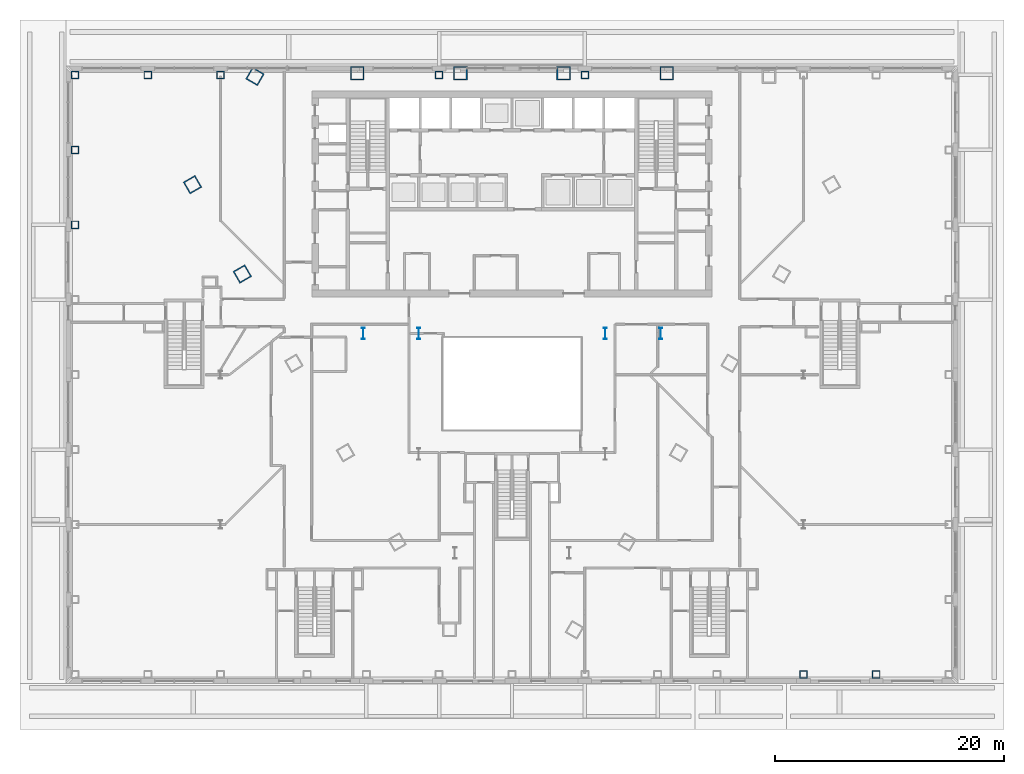
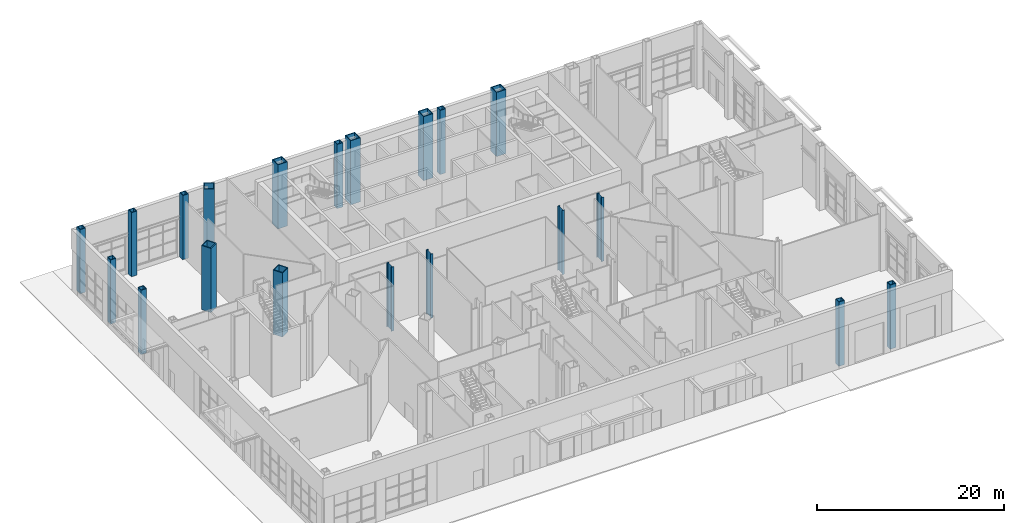
# One storey, part 3 of 34: 20 columns.
"""IFC4 building model written with IfcOpenShell, lengths in metres."""

from ifc_helpers import new_model, si_unit, direction, frame, origin, origin_2d, place, context, subcontext, project, spatial, hollow_rectangle, i_section, extrude, material, material_profile, profile_set, type_object, element, save


model = new_model("IFC4")

# Units and contexts
model_context = context("Model", 3, precision=1e-05, world=origin(), true_north=direction((0.0, 1.0)))
body_context = subcontext(model_context, "Body", "Model", "MODEL_VIEW")
ifc_project = project(units=[si_unit("LENGTHUNIT", "METRE"), si_unit("AREAUNIT", "SQUARE_METRE"), si_unit("VOLUMEUNIT", "CUBIC_METRE"), si_unit("PLANEANGLEUNIT", "RADIAN"), si_unit("MASSUNIT", "GRAM", prefix="KILO")], contexts=[model_context])

# Site, building, storey
site_placement = place(None, origin())
site = spatial("IfcSite", under=ifc_project, at=site_placement, CompositionType="ELEMENT")
building_placement = place(site_placement, origin())
building = spatial("IfcBuilding", under=site, at=building_placement, Name="Njiva Tower", CompositionType="ELEMENT")
storey_placement = place(building_placement, origin())
storey = spatial("IfcBuildingStorey", under=building, at=storey_placement, Name="L00", CompositionType="ELEMENT", Elevation=0.0)

# Columns
ifc_material = material(Name="Steel S355 J2", Category="steel")
ifc_material_profile_1 = material_profile(ifc_material, hollow_rectangle(XDim=1.2, YDim=1.2, WallThickness=0.1, at=origin_2d()), Name="BOX 1200x1200x100")
ifc_profile_set_1 = profile_set([ifc_material_profile_1], Name="Steel S355 J2")
column_type_1 = type_object("IfcColumnType", Name="C1 Mega-column BOX 1200x1200x100", PredefinedType="COLUMN", material=ifc_profile_set_1)
for number, where, z_axis, x_axis, name in (
    (1, (13.523, 19.54, 0.0), (0.0, 0.0, 1.0), (-1.0, 0.0, 0.0), "Mega-column L00-C02"),
    (2, (4.508, 19.54, 0.0), (0.0, 0.0, 1.0), (-1.0, 0.0, 0.0), "Mega-column L00-C03"),
    (3, (-4.508, 19.54, 0.0), (0.0, 0.0, 1.0), (-1.0, 0.0, 0.0), "Mega-column L00-C04"),
    (4, (-13.523, 19.54, 0.0), (0.0, 0.0, 1.0), (-1.0, 0.0, 0.0), "Mega-column L00-C05"),
    (5, (-22.461, 19.267, 0.0), (0.0, 0.0, 1.0), (-0.5, -0.866025403784, 0.0), "Mega-column L00-C06"),
    (6, (-27.923, 9.808, 0.0), (0.0, 0.0, 1.0), (0.5, -0.866025403784, 0.0), "Mega-column L00-C07"),
    (7, (-23.569, 2.0, 0.0), (0.0, 0.0, 1.0), (0.5, -0.866025403784, 0.0), "Mega-column L00-C08"),
):
    element("IfcColumn", number, at=place(storey_placement, frame(where, z_axis=z_axis, x_axis=x_axis)), inside=storey, type_object=column_type_1, Name=name, PredefinedType="COLUMN", context=body_context, shape_type="SweptSolid", body=[
        extrude(hollow_rectangle(XDim=1.2, YDim=1.2, WallThickness=0.1, at=origin_2d()), origin(), (0.0, 0.0, 1.0), 8.4),
    ])
ifc_material_profile_2 = material_profile(ifc_material, i_section(OverallWidth=0.302, OverallDepth=1.008, WebThickness=0.021, FlangeThickness=0.04, at=origin_2d()), Name="HEM 1000")
ifc_profile_set_2 = profile_set([ifc_material_profile_2], Name="Steel S355 J2")
column_type_2 = type_object("IfcColumnType", Name="C2 Interior column HEM 1000", PredefinedType="COLUMN", material=ifc_profile_set_2)
for number, where, z_axis, x_axis, name in (
    (8, (8.15, -3.2, 0.0), (0.0, 0.0, 1.0), (1.0, 0.0, 0.0), "Interior column L00-C19"),
    (9, (-8.15, -3.2, 0.0), (0.0, 0.0, 1.0), (1.0, 0.0, 0.0), "Interior column L00-C20"),
    (10, (13.0, -3.2, 0.0), (0.0, 0.0, 1.0), (1.0, 0.0, 0.0), "Interior column L00-C25"),
    (11, (-13.0, -3.2, 0.0), (0.0, 0.0, 1.0), (1.0, 0.0, 0.0), "Interior column L00-C26"),
):
    element("IfcColumn", number, at=place(storey_placement, frame(where, z_axis=z_axis, x_axis=x_axis)), inside=storey, type_object=column_type_2, Name=name, PredefinedType="COLUMN", context=body_context, shape_type="SweptSolid", body=[
        extrude(i_section(OverallWidth=0.302, OverallDepth=1.008, WebThickness=0.021, FlangeThickness=0.04, at=origin_2d()), origin(), (0.0, 0.0, 1.0), 8.4),
    ])
ifc_material_profile_3 = material_profile(ifc_material, hollow_rectangle(XDim=0.7, YDim=0.7, WallThickness=0.08, at=origin_2d()), Name="BOX 700x700x80")
ifc_profile_set_3 = profile_set([ifc_material_profile_3], Name="Steel S355 J2")
column_type_3 = type_object("IfcColumnType", Name="C3 Podium perimeter column BOX 700x700x80", PredefinedType="COLUMN", material=ifc_profile_set_3)
for number, where, z_axis, x_axis, name in (
    (12, (6.367, 19.4, 0.0), (0.0, 0.0, 1.0), (-1.0, 0.0, 0.0), "Podium perimeter column L00-C38"),
    (13, (-6.367, 19.4, 0.0), (0.0, 0.0, 1.0), (-1.0, 0.0, 0.0), "Podium perimeter column L00-C39"),
    (14, (-25.467, 19.4, 0.0), (0.0, 0.0, 1.0), (-1.0, 0.0, 0.0), "Podium perimeter column L00-C40"),
    (15, (-31.833, 19.4, 0.0), (0.0, 0.0, 1.0), (-1.0, 0.0, 0.0), "Podium perimeter column L00-C41"),
    (16, (-38.2, 19.4, 0.0), (0.0, 0.0, 1.0), (0.0, -1.0, 0.0), "Podium perimeter column L00-C42"),
    (17, (-38.2, 12.85, 0.0), (0.0, 0.0, 1.0), (0.0, -1.0, 0.0), "Podium perimeter column L00-C43"),
    (18, (-38.2, 6.3, 0.0), (0.0, 0.0, 1.0), (0.0, -1.0, 0.0), "Podium perimeter column L00-C44"),
    (19, (25.467, -33.0, 0.0), (0.0, 0.0, 1.0), (1.0, 0.0, 0.0), "Podium perimeter column L00-C60"),
    (20, (31.833, -33.0, 0.0), (0.0, 0.0, 1.0), (1.0, 0.0, 0.0), "Podium perimeter column L00-C61"),
):
    element("IfcColumn", number, at=place(storey_placement, frame(where, z_axis=z_axis, x_axis=x_axis)), inside=storey, type_object=column_type_3, Name=name, PredefinedType="COLUMN", context=body_context, shape_type="SweptSolid", body=[
        extrude(hollow_rectangle(XDim=0.7, YDim=0.7, WallThickness=0.08, at=origin_2d()), origin(), (0.0, 0.0, 1.0), 8.4),
    ])

save(model, "model.ifc")
